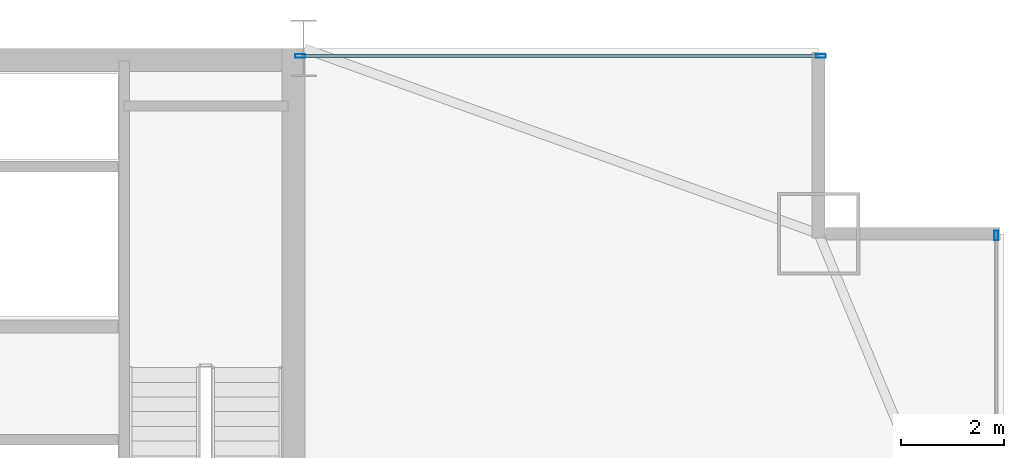
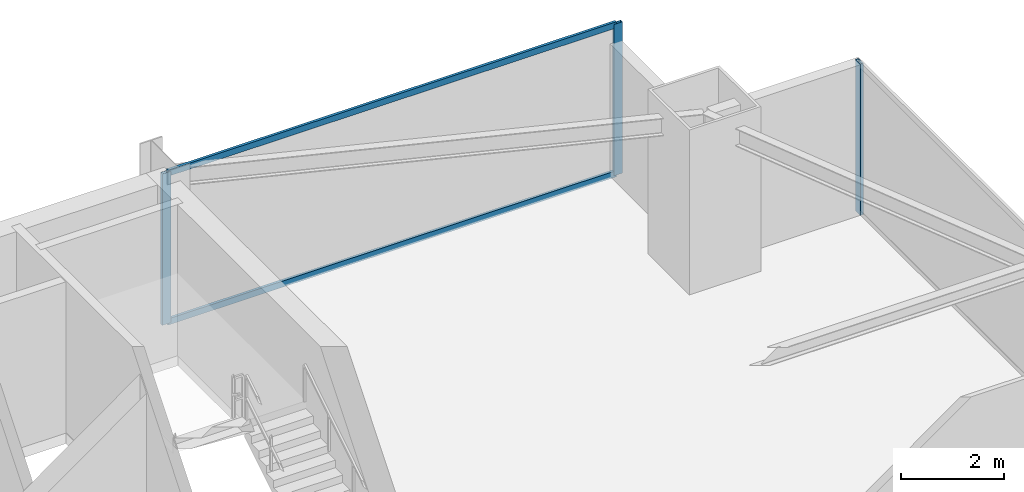
# One storey, part 24 of 32: 5 members, 2 elements without a shape of their own.
"""IFC4 building model written with IfcOpenShell, lengths in metres."""

from ifc_helpers import new_model, si_unit, direction, frame, origin, origin_2d, place, context, subcontext, project, spatial, hollow_rectangle, extrude, source, transform, mapped, material, layer, layer_set, material_profile, profile_set, type_object, type_shapes, element, aggregate, save


model = new_model("IFC4")

# Units and contexts
model_context = context("Model", 3, precision=1e-05, world=origin(), true_north=direction((0.0, 1.0)))
body_context = subcontext(model_context, "Body", "Model", "MODEL_VIEW")
ifc_project = project(units=[si_unit("LENGTHUNIT", "METRE"), si_unit("AREAUNIT", "SQUARE_METRE"), si_unit("VOLUMEUNIT", "CUBIC_METRE"), si_unit("PLANEANGLEUNIT", "RADIAN"), si_unit("MASSUNIT", "GRAM", prefix="KILO")], contexts=[model_context])

# Site, building, storey
site_placement = place(None, origin())
site = spatial("IfcSite", under=ifc_project, at=site_placement, CompositionType="ELEMENT")
building_placement = place(site_placement, origin())
building = spatial("IfcBuilding", under=site, at=building_placement, Name="Varnel Quay Broadcast Tower", CompositionType="ELEMENT")
storey_placement = place(building_placement, frame((0.0, 0.0, 78.300048828125)))
storey = spatial("IfcBuildingStorey", under=building, at=storey_placement, Name="L18", CompositionType="ELEMENT", Elevation=78.300048828125)

# Curtain wall, members
ifc_material = material(Name="Anodised Bronze Aluminium 6063-T6", Category="aluminium")
ifc_layer = layer(ifc_material, 0.18994140625, Name="Anodised Bronze Aluminium 6063-T6")
ifc_layer_set = layer_set([ifc_layer], Name="Anodised Bronze Aluminium 6063-T6")
curtain_wall_type = type_object("IfcCurtainWallType", Name="CW_LowerTower", PredefinedType="NOTDEFINED", material=ifc_layer_set)
curtain_wall_1_placement = place(storey_placement, origin())
curtain_wall_1 = element("IfcCurtainWall", 1, at=curtain_wall_1_placement, inside=storey, type_object=curtain_wall_type, Name="L18 NE Wing Curtain Wall", PredefinedType="NOTDEFINED")
ifc_material_profile_1 = material_profile(ifc_material, hollow_rectangle(XDim=0.06005859375, YDim=0.14501953125, WallThickness=0.00341796875, at=origin_2d()), Name="ALU60X145X3.5")
ifc_profile_set_1 = profile_set([ifc_material_profile_1], Name="Anodised Bronze Aluminium 6063-T6")
member_type_1 = type_object("IfcMemberType", Name="Tran_CWS-02", PredefinedType="USERDEFINED", material=ifc_profile_set_1)
shared_shape_1 = source(origin(), body_context, "Body", "SweptSolid", [
    extrude(hollow_rectangle(XDim=0.06005859375, YDim=0.14501953125, WallThickness=0.00341796875, at=origin_2d()), origin(), (0.0, 0.0, 1.0), 10.039794921875),
])
type_shapes(member_type_1, [shared_shape_1])
member_1_placement = place(storey_placement, frame((52.3701171875, 46.64990234375, 0.030029296875), z_axis=(1.0, 0.0, 0.0), x_axis=(0.0, 1.0, 0.0)))
member_1 = element("IfcMember", 2, at=member_1_placement, type_object=member_type_1, Name="CWS-02 transom 1.1", ObjectType="TRANSOM", PredefinedType="USERDEFINED", context=body_context, shape_type="MappedRepresentation", body=[
    mapped(shared_shape_1, transform((0.0, 0.0, 0.0), x_axis=(1.0, 0.0, 0.0), y_axis=(0.0, 1.0, 0.0), z_axis=(0.0, 0.0, 1.0), scale=1.0)),
])
member_2_placement = place(storey_placement, frame((52.3701171875, 46.64990234375, 3.550048828125), z_axis=(1.0, 0.0, 0.0), x_axis=(0.0, 1.0, 0.0)))
member_2 = element("IfcMember", 3, at=member_2_placement, type_object=member_type_1, Name="CWS-02 transom 1.2", ObjectType="TRANSOM", PredefinedType="USERDEFINED", context=body_context, shape_type="MappedRepresentation", body=[
    mapped(shared_shape_1, transform((0.0, 0.0, 0.0), x_axis=(1.0, 0.0, 0.0), y_axis=(0.0, 1.0, 0.0), z_axis=(0.0, 0.0, 1.0), scale=1.0)),
])

# Curtain wall, member
curtain_wall_2_placement = place(storey_placement, origin())
curtain_wall_2 = element("IfcCurtainWall", 4, at=curtain_wall_2_placement, inside=storey, type_object=curtain_wall_type, Name="L18 East Unitised Curtain Wall", PredefinedType="NOTDEFINED")
ifc_material_profile_2 = material_profile(ifc_material, hollow_rectangle(XDim=0.070068359375, YDim=0.18994140625, WallThickness=0.00390625, at=origin_2d()), Name="ALU70X190X4")
ifc_profile_set_2 = profile_set([ifc_material_profile_2], Name="Anodised Bronze Aluminium 6063-T6")
member_type_2 = type_object("IfcMemberType", Name="Mull_CWS-02", PredefinedType="MULLION", material=ifc_profile_set_2)
shared_shape_2 = source(origin(), body_context, "Body", "SweptSolid", [
    extrude(hollow_rectangle(XDim=0.070068359375, YDim=0.18994140625, WallThickness=0.00390625, at=origin_2d()), origin(), (0.0, 0.0, 1.0), 3.579833984375),
])
type_shapes(member_type_2, [shared_shape_2])
member_3_placement = place(storey_placement, frame((65.85009765625, 43.1650390625, 0.0), z_axis=(0.0, 0.0, 1.0), x_axis=(-1.0, 0.0, 0.0)))
member_3 = element("IfcMember", 5, at=member_3_placement, type_object=member_type_2, Name="CWS-02 mullion 4", PredefinedType="MULLION", context=body_context, shape_type="MappedRepresentation", body=[
    mapped(shared_shape_2, transform((0.0, 0.0, 0.0), x_axis=(1.0, 0.0, 0.0), y_axis=(0.0, 1.0, 0.0), z_axis=(0.0, 0.0, 1.0), scale=1.0)),
])
aggregate(curtain_wall_2, [member_3])

# Member
member_4_placement = place(storey_placement, frame((52.3349609375, 46.64990234375, 0.0), z_axis=(0.0, 0.0, 1.0), x_axis=(0.0, 1.0, 0.0)))
member_4 = element("IfcMember", 6, at=member_4_placement, type_object=member_type_2, Name="CWS-02 mullion 1", PredefinedType="MULLION", context=body_context, shape_type="MappedRepresentation", body=[
    mapped(shared_shape_2, transform((0.0, 0.0, 0.0), x_axis=(1.0, 0.0, 0.0), y_axis=(0.0, 1.0, 0.0), z_axis=(0.0, 0.0, 1.0), scale=1.0)),
])

member_5_placement = place(storey_placement, frame((62.445068359375, 46.64990234375, 0.0), z_axis=(0.0, 0.0, 1.0), x_axis=(0.0, 1.0, 0.0)))
member_5 = element("IfcMember", 7, at=member_5_placement, type_object=member_type_2, Name="CWS-02 mullion 2", PredefinedType="MULLION", context=body_context, shape_type="MappedRepresentation", body=[
    mapped(shared_shape_2, transform((0.0, 0.0, 0.0), x_axis=(1.0, 0.0, 0.0), y_axis=(0.0, 1.0, 0.0), z_axis=(0.0, 0.0, 1.0), scale=1.0)),
])

aggregate(curtain_wall_1, [member_4, member_5, member_1, member_2])

save(model, "model.ifc")
